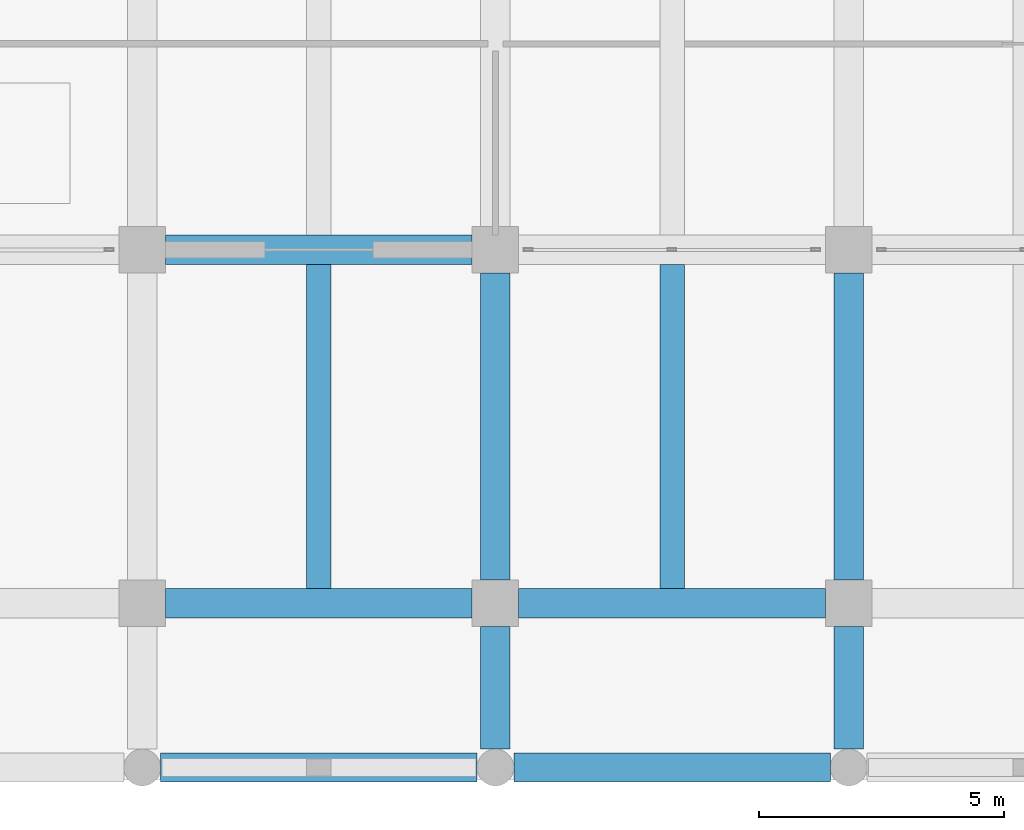
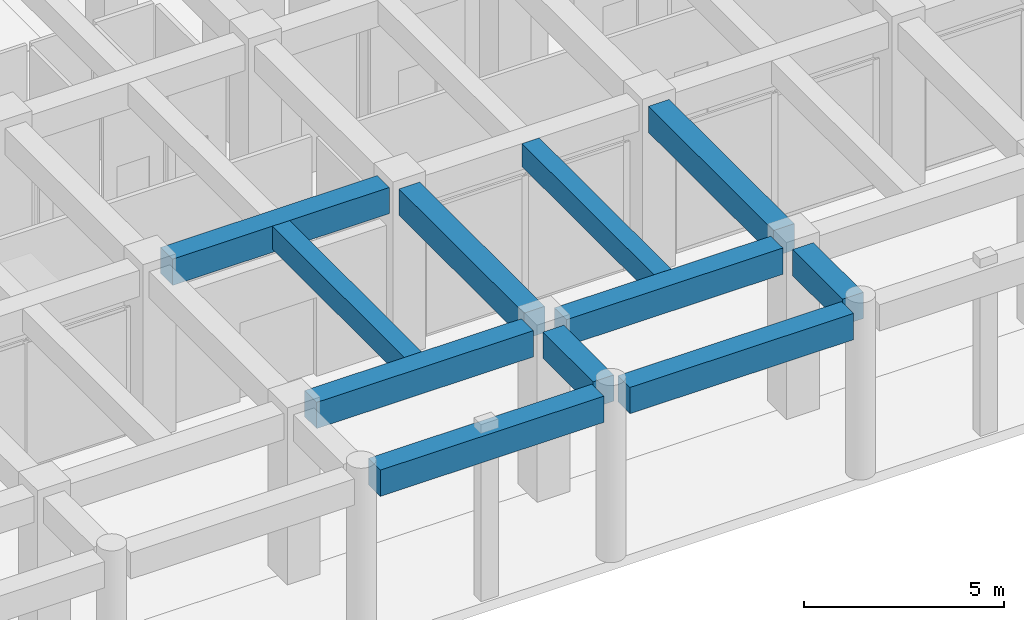
# One storey, part 11 of 56: 11 beams.
"""IFC4 building model written with IfcOpenShell, lengths in metres."""

from ifc_helpers import new_model, si_unit, direction, frame, origin, origin_2d, place, context, subcontext, project, spatial, rectangle, extrude, material, material_profile, profile_set, type_object, element, save


model = new_model("IFC4")

# Units and contexts
model_context = context("Model", 3, precision=1e-05, world=origin(), true_north=direction((0.0, 1.0)))
body_context = subcontext(model_context, "Body", "Model", "MODEL_VIEW")
ifc_project = project(units=[si_unit("LENGTHUNIT", "METRE"), si_unit("AREAUNIT", "SQUARE_METRE"), si_unit("VOLUMEUNIT", "CUBIC_METRE"), si_unit("PLANEANGLEUNIT", "RADIAN"), si_unit("MASSUNIT", "GRAM", prefix="KILO")], contexts=[model_context])

# Site, building, storey
site_placement = place(None, origin())
site = spatial("IfcSite", under=ifc_project, at=site_placement, CompositionType="ELEMENT")
building_placement = place(site_placement, origin())
building = spatial("IfcBuilding", under=site, at=building_placement, Name="Kazehaya Institute of Natural Sciences", CompositionType="ELEMENT")
storey_placement = place(building_placement, origin())
storey = spatial("IfcBuildingStorey", under=building, at=storey_placement, Name="L00", CompositionType="ELEMENT", Elevation=0.0)

# Beams
ifc_material = material(Name="Concrete Fc36", Category="concrete")
ifc_material_profile_1 = material_profile(ifc_material, rectangle(XDim=0.60009765625, YDim=0.800048828125, at=origin_2d()), Name="RC-600x800")
ifc_profile_set_1 = profile_set([ifc_material_profile_1], Name="Concrete Fc36")
beam_type_1 = type_object("IfcBeamType", Name="BM-G-600x800", PredefinedType="BEAM", material=ifc_profile_set_1)
beam_1_placement = place(storey_placement, frame((83.77490234375, 3.449951171875, 4.72998046875), z_axis=(1.0, 0.0, 0.0), x_axis=(0.0, 1.0, 0.0)))
element("IfcBeam", 1, at=beam_1_placement, inside=storey, type_object=beam_type_1, Name="L00 primary X girder BMX-L00-834-34", PredefinedType="BEAM", context=body_context, shape_type="SweptSolid", body=[
    extrude(rectangle(XDim=0.60009765625, YDim=0.800048828125, at=origin_2d()), origin(), (0.0, 0.0, 1.0), 6.4501953125),
])
beam_2_placement = place(storey_placement, frame((90.97509765625, 3.449951171875, 4.72998046875), z_axis=(1.0, 0.0, 0.0), x_axis=(0.0, 1.0, 0.0)))
element("IfcBeam", 2, at=beam_2_placement, inside=storey, type_object=beam_type_1, Name="L00 primary X girder BMX-L00-906-34", PredefinedType="BEAM", context=body_context, shape_type="SweptSolid", body=[
    extrude(rectangle(XDim=0.60009765625, YDim=0.800048828125, at=origin_2d()), origin(), (0.0, 0.0, 1.0), 6.449951171875),
])
for number, where, z_axis, x_axis, name in (
    (3, (83.875, 6.800048828125, 4.72998046875), (1.0, 0.0, 0.0), (0.0, 1.0, 0.0), "L00 primary X girder BMX-L00-834-68"),
    (4, (91.074951171875, 6.800048828125, 4.72998046875), (1.0, 0.0, 0.0), (0.0, 1.0, 0.0), "L00 primary X girder BMX-L00-906-68"),
    (5, (83.875, 14.0, 4.72998046875), (1.0, 0.0, 0.0), (0.0, 1.0, 0.0), "L00 primary X girder BMX-L00-834-140"),
):
    element("IfcBeam", number, at=place(storey_placement, frame(where, z_axis=z_axis, x_axis=x_axis)), inside=storey, type_object=beam_type_1, Name=name, PredefinedType="BEAM", context=body_context, shape_type="SweptSolid", body=[
        extrude(rectangle(XDim=0.60009765625, YDim=0.800048828125, at=origin_2d()), origin(), (0.0, 0.0, 1.0), 6.25),
    ])
beam_3_placement = place(storey_placement, frame((90.60009765625, 3.824951171875, 4.72998046875), z_axis=(0.0, 1.0, 0.0), x_axis=(-1.0, 0.0, 0.0)))
element("IfcBeam", 6, at=beam_3_placement, inside=storey, type_object=beam_type_1, Name="L00 primary Y girder BMY-L00-906-34", PredefinedType="BEAM", context=body_context, shape_type="SweptSolid", body=[
    extrude(rectangle(XDim=0.60009765625, YDim=0.800048828125, at=origin_2d()), origin(), (0.0, 0.0, 1.0), 2.5),
])
beam_4_placement = place(storey_placement, frame((90.60009765625, 7.27490234375, 4.72998046875), z_axis=(0.0, 1.0, 0.0), x_axis=(-1.0, 0.0, 0.0)))
element("IfcBeam", 7, at=beam_4_placement, inside=storey, type_object=beam_type_1, Name="L00 primary Y girder BMY-L00-906-68", PredefinedType="BEAM", context=body_context, shape_type="SweptSolid", body=[
    extrude(rectangle(XDim=0.60009765625, YDim=0.800048828125, at=origin_2d()), origin(), (0.0, 0.0, 1.0), 6.25),
])
beam_5_placement = place(storey_placement, frame((97.800048828125, 3.824951171875, 4.72998046875), z_axis=(0.0, 1.0, 0.0), x_axis=(-1.0, 0.0, 0.0)))
element("IfcBeam", 8, at=beam_5_placement, inside=storey, type_object=beam_type_1, Name="L00 primary Y girder BMY-L00-978-34", PredefinedType="BEAM", context=body_context, shape_type="SweptSolid", body=[
    extrude(rectangle(XDim=0.60009765625, YDim=0.800048828125, at=origin_2d()), origin(), (0.0, 0.0, 1.0), 2.5),
])
beam_6_placement = place(storey_placement, frame((97.800048828125, 7.27490234375, 4.72998046875), z_axis=(0.0, 1.0, 0.0), x_axis=(-1.0, 0.0, 0.0)))
element("IfcBeam", 9, at=beam_6_placement, inside=storey, type_object=beam_type_1, Name="L00 primary Y girder BMY-L00-978-68", PredefinedType="BEAM", context=body_context, shape_type="SweptSolid", body=[
    extrude(rectangle(XDim=0.60009765625, YDim=0.800048828125, at=origin_2d()), origin(), (0.0, 0.0, 1.0), 6.25),
])
ifc_material_profile_2 = material_profile(ifc_material, rectangle(XDim=0.5, YDim=0.699951171875, at=origin_2d()), Name="RC-500x700")
ifc_profile_set_2 = profile_set([ifc_material_profile_2], Name="Concrete Fc36")
beam_type_2 = type_object("IfcBeamType", Name="BM-J-500x700", PredefinedType="JOIST", material=ifc_profile_set_2)
for number, where, z_axis, x_axis, name in (
    (10, (87.0, 7.10009765625, 4.780029296875), (0.0, 1.0, 0.0), (-1.0, 0.0, 0.0), "L00 secondary lab beam JST-L00-0005"),
    (11, (94.199951171875, 7.10009765625, 4.780029296875), (0.0, 1.0, 0.0), (-1.0, 0.0, 0.0), "L00 secondary lab beam JST-L00-0006"),
):
    element("IfcBeam", number, at=place(storey_placement, frame(where, z_axis=z_axis, x_axis=x_axis)), inside=storey, type_object=beam_type_2, Name=name, PredefinedType="JOIST", context=body_context, shape_type="SweptSolid", body=[
        extrude(rectangle(XDim=0.5, YDim=0.699951171875, at=origin_2d()), origin(), (0.0, 0.0, 1.0), 6.599853515625),
    ])

save(model, "model.ifc")
